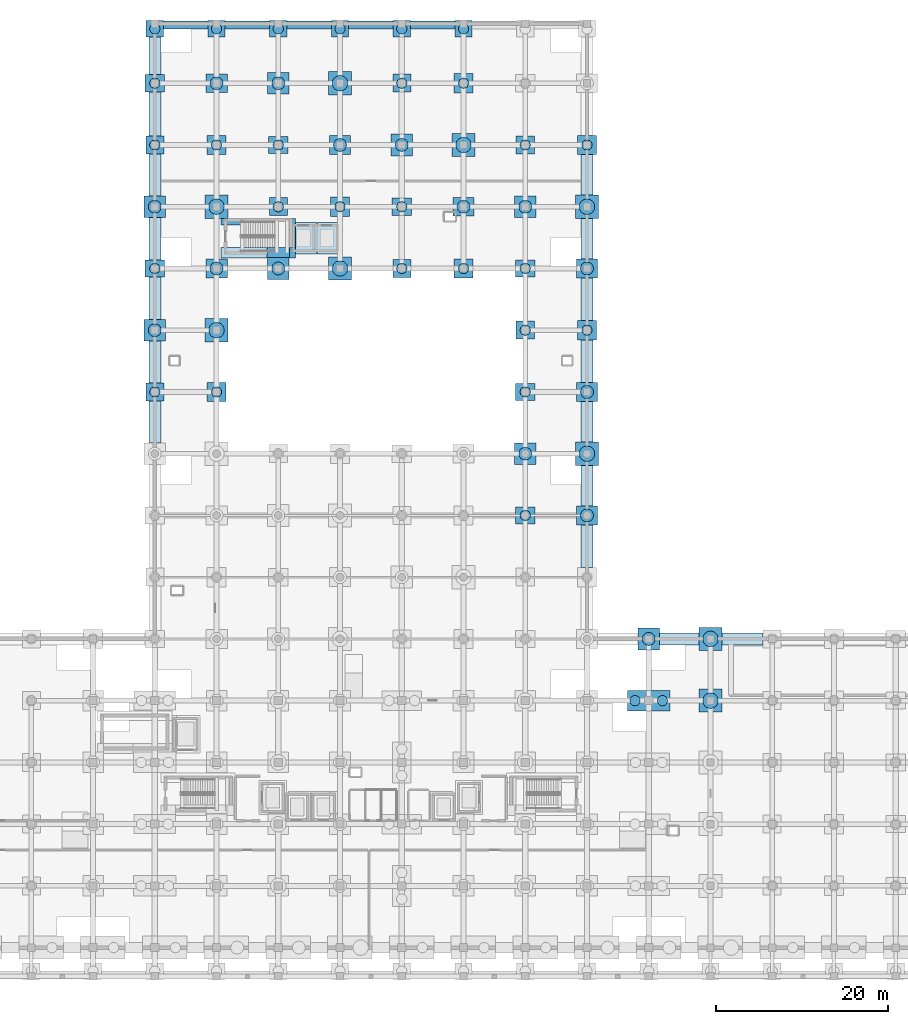
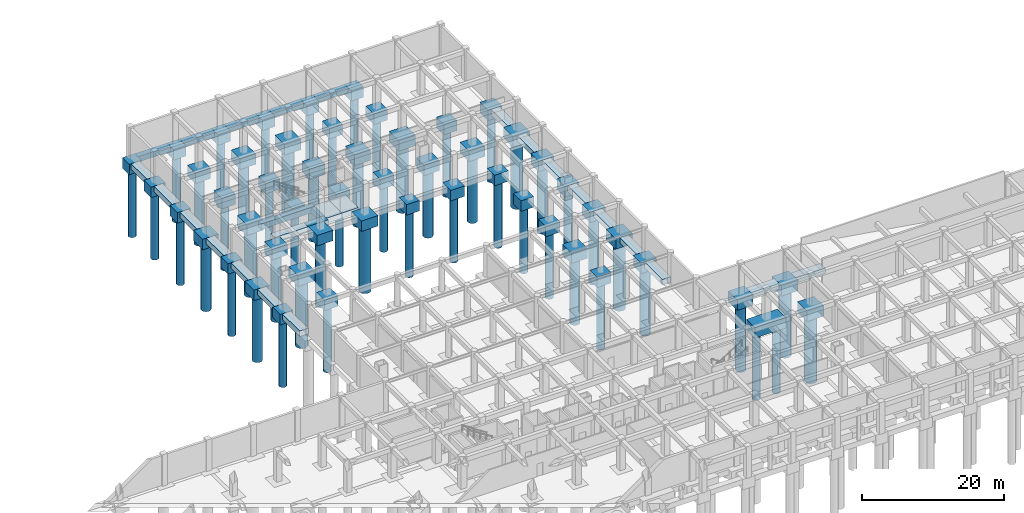
# One storey, part 4 of 26: 80 footings, 53 piles.
"""IFC4 building model written with IfcOpenShell, lengths in metres."""

from ifc_helpers import new_model, si_unit, direction, frame, origin, origin_2d, place, context, subcontext, project, spatial, polyline, rectangle, circle, outline, extrude, material, material_profile, profile_set, type_object, element, save


model = new_model("IFC4")

# Units and contexts
model_context = context("Model", 3, precision=1e-05, world=origin(), true_north=direction((0.0, 1.0)))
body_context = subcontext(model_context, "Body", "Model", "MODEL_VIEW")
ifc_project = project(units=[si_unit("LENGTHUNIT", "METRE"), si_unit("AREAUNIT", "SQUARE_METRE"), si_unit("VOLUMEUNIT", "CUBIC_METRE"), si_unit("PLANEANGLEUNIT", "RADIAN"), si_unit("MASSUNIT", "GRAM", prefix="KILO")], contexts=[model_context])

# Site, building, storey
site_placement = place(None, origin())
site = spatial("IfcSite", under=ifc_project, at=site_placement, CompositionType="ELEMENT")
building_placement = place(site_placement, origin())
building = spatial("IfcBuilding", under=site, at=building_placement, Name="Kazehaya Institute of Natural Sciences", CompositionType="ELEMENT")
storey_placement = place(building_placement, frame((0.0, 0.0, -5.39990234375)))
storey = spatial("IfcBuildingStorey", under=building, at=storey_placement, Name="B1", CompositionType="ELEMENT", Elevation=-5.39990234375)

# Footings
ifc_material = material(Name="Concrete Fc36", Category="concrete")
footing_type_1 = type_object("IfcFootingType", Name="FT-PAD01", PredefinedType="PAD_FOOTING", material=ifc_material)
footing_1_placement = place(storey_placement, frame((0.0, 0.0, -0.9501953125)))
element("IfcFooting", 1, at=footing_1_placement, inside=storey, type_object=footing_type_1, Name="Core ST-3 pad footing S seg 1", PredefinedType="PAD_FOOTING", context=body_context, shape_type="SweptSolid", body=[
    extrude(outline(polyline([(69.52001953125, 87.219970703125), (74.905029296875, 87.219970703125), (74.905029296875, 88.419921875), (69.52001953125, 88.419921875), (69.52001953125, 87.219970703125)])), origin(), (0.0, 0.0, 1.0), 0.9501953125),
])
footing_2_placement = place(storey_placement, frame((0.0, 0.0, -0.9501953125)))
element("IfcFooting", 2, at=footing_2_placement, inside=storey, type_object=footing_type_1, Name="Core ST-3 pad footing S seg 2", PredefinedType="PAD_FOOTING", context=body_context, shape_type="SweptSolid", body=[
    extrude(outline(polyline([(77.4951171875, 87.219970703125), (78.179931640625, 87.219970703125), (78.179931640625, 88.419921875), (77.4951171875, 88.419921875), (77.4951171875, 87.219970703125)])), origin(), (0.0, 0.0, 1.0), 0.9501953125),
])
footing_3_placement = place(storey_placement, frame((0.0, 0.0, -0.9501953125)))
element("IfcFooting", 3, at=footing_3_placement, inside=storey, type_object=footing_type_1, Name="Core ST-3 pad footing S seg 3", PredefinedType="PAD_FOOTING", context=body_context, shape_type="SweptSolid", body=[
    extrude(outline(polyline([(74.905029296875, 87.294921875), (77.4951171875, 87.294921875), (77.4951171875, 88.419921875), (74.905029296875, 88.419921875), (74.905029296875, 87.294921875)])), origin(), (0.0, 0.0, 1.0), 0.9501953125),
])
footing_4_placement = place(storey_placement, frame((0.0, 0.0, -0.9501953125)))
element("IfcFooting", 4, at=footing_4_placement, inside=storey, type_object=footing_type_1, Name="Core ST-3 pad footing N", PredefinedType="PAD_FOOTING", context=body_context, shape_type="SweptSolid", body=[
    extrude(outline(polyline([(69.52001953125, 91.06005859375), (78.179931640625, 91.06005859375), (78.179931640625, 91.830078125), (69.52001953125, 91.830078125), (69.52001953125, 91.06005859375)])), origin(), (0.0, 0.0, 1.0), 0.9501953125),
])
footing_5_placement = place(storey_placement, frame((0.0, 0.0, -0.900146484375)))
element("IfcFooting", 5, at=footing_5_placement, inside=storey, type_object=footing_type_1, Name="Lift EL04 pad footing seg 1", PredefinedType="PAD_FOOTING", context=body_context, shape_type="SweptSolid", body=[
    extrude(outline(polyline([(78.199951171875, 87.715087890625), (80.68505859375, 87.715087890625), (80.68505859375, 91.385009765625), (78.199951171875, 91.385009765625), (78.199951171875, 87.715087890625)])), origin(), (0.0, 0.0, 1.0), 0.900146484375),
])
footing_6_placement = place(storey_placement, frame((0.0, 0.0, -0.900146484375)))
element("IfcFooting", 6, at=footing_6_placement, inside=storey, type_object=footing_type_1, Name="Lift EL04 pad footing seg 2", PredefinedType="PAD_FOOTING", context=body_context, shape_type="SweptSolid", body=[
    extrude(outline(polyline([(77.614990234375, 88.43994140625), (78.199951171875, 88.43994140625), (78.199951171875, 91.0400390625), (77.614990234375, 91.0400390625), (77.614990234375, 88.43994140625)])), origin(), (0.0, 0.0, 1.0), 0.900146484375),
])
footing_7_placement = place(storey_placement, frame((0.0, 0.0, -0.900146484375)))
element("IfcFooting", 7, at=footing_7_placement, inside=storey, type_object=footing_type_1, Name="Lift EL05 pad footing", PredefinedType="PAD_FOOTING", context=body_context, shape_type="SweptSolid", body=[
    extrude(outline(polyline([(80.705078125, 87.715087890625), (83.385009765625, 87.715087890625), (83.385009765625, 91.385009765625), (80.705078125, 91.385009765625), (80.705078125, 87.715087890625)])), origin(), (0.0, 0.0, 1.0), 0.900146484375),
])
footing_type_2 = type_object("IfcFootingType", Name="FT-PC01", PredefinedType="PILE_CAP", material=ifc_material)
for number, where, z_axis, x_axis, name in (
    (8, (61.800048828125, 71.60009765625, -1.80029296875), (0.0, 0.0, 1.0), (1.0, 0.0, 0.0), "Pile cap CAP-193"),
    (9, (105.0, 78.800048828125, -1.80029296875), (0.0, 0.0, 1.0), (1.0, 0.0, 0.0), "Pile cap CAP-199"),
    (10, (90.60009765625, 86.0, -1.80029296875), (0.0, 0.0, 1.0), (1.0, 0.0, 0.0), "Pile cap CAP-205"),
    (11, (76.199951171875, 93.199951171875, -1.80029296875), (0.0, 0.0, 1.0), (1.0, 0.0, 0.0), "Pile cap CAP-211"),
    (12, (61.800048828125, 100.39990234375, -1.80029296875), (0.0, 0.0, 1.0), (1.0, 0.0, 0.0), "Pile cap CAP-217"),
    (13, (105.0, 100.39990234375, -1.80029296875), (0.0, 0.0, 1.0), (1.0, 0.0, 0.0), "Pile cap CAP-223"),
    (14, (90.60009765625, 107.60009765625, -1.80029296875), (0.0, 0.0, 1.0), (1.0, 0.0, 0.0), "Pile cap CAP-229"),
):
    element("IfcFooting", number, at=place(storey_placement, frame(where, z_axis=z_axis, x_axis=x_axis)), inside=storey, type_object=footing_type_2, Name=name, PredefinedType="PILE_CAP", context=body_context, shape_type="SweptSolid", body=[
        extrude(rectangle(XDim=2.10009765625, YDim=2.10009765625, at=origin_2d()), origin(), (0.0, 0.0, 1.0), 1.800048828125),
    ])
footing_type_3 = type_object("IfcFootingType", Name="FT-PC05", PredefinedType="PILE_CAP", material=ifc_material)
for number, where, z_axis, x_axis, name in (
    (15, (61.800048828125, 113.949951171875, -1.80029296875), (0.0, 0.0, 1.0), (1.0, 0.0, 0.0), "Pile cap CAP-233"),
    (16, (69.0, 113.949951171875, -1.80029296875), (0.0, 0.0, 1.0), (1.0, 0.0, 0.0), "Pile cap CAP-234"),
    (17, (76.199951171875, 113.949951171875, -1.80029296875), (0.0, 0.0, 1.0), (1.0, 0.0, 0.0), "Pile cap CAP-235"),
    (18, (83.39990234375, 113.949951171875, -1.80029296875), (0.0, 0.0, 1.0), (1.0, 0.0, 0.0), "Pile cap CAP-236"),
    (19, (90.60009765625, 113.949951171875, -1.80029296875), (0.0, 0.0, 1.0), (1.0, 0.0, 0.0), "Pile cap CAP-237"),
    (20, (97.800048828125, 113.949951171875, -1.80029296875), (0.0, 0.0, 1.0), (1.0, 0.0, 0.0), "Pile cap CAP-238"),
):
    element("IfcFooting", number, at=place(storey_placement, frame(where, z_axis=z_axis, x_axis=x_axis)), inside=storey, type_object=footing_type_3, Name=name, PredefinedType="PILE_CAP", context=body_context, shape_type="SweptSolid", body=[
        extrude(rectangle(XDim=2.0, YDim=1.89990234375, at=origin_2d()), origin(), (0.0, 0.0, 1.0), 1.800048828125),
    ])
footing_type_4 = type_object("IfcFootingType", Name="FT-PC06", PredefinedType="PILE_CAP", material=ifc_material)
for number, where, z_axis, x_axis, name in (
    (21, (69.0, 71.60009765625, -1.80029296875), (0.0, 0.0, 1.0), (1.0, 0.0, 0.0), "Pile cap CAP-194"),
    (22, (112.199951171875, 78.800048828125, -1.80029296875), (0.0, 0.0, 1.0), (1.0, 0.0, 0.0), "Pile cap CAP-200"),
    (23, (97.800048828125, 86.0, -1.80029296875), (0.0, 0.0, 1.0), (1.0, 0.0, 0.0), "Pile cap CAP-206"),
    (24, (83.39990234375, 93.199951171875, -1.80029296875), (0.0, 0.0, 1.0), (1.0, 0.0, 0.0), "Pile cap CAP-212"),
    (25, (69.0, 100.39990234375, -1.80029296875), (0.0, 0.0, 1.0), (1.0, 0.0, 0.0), "Pile cap CAP-218"),
    (26, (112.199951171875, 100.39990234375, -1.80029296875), (0.0, 0.0, 1.0), (1.0, 0.0, 0.0), "Pile cap CAP-224"),
    (27, (97.800048828125, 107.60009765625, -1.80029296875), (0.0, 0.0, 1.0), (1.0, 0.0, 0.0), "Pile cap CAP-230"),
):
    element("IfcFooting", number, at=place(storey_placement, frame(where, z_axis=z_axis, x_axis=x_axis)), inside=storey, type_object=footing_type_4, Name=name, PredefinedType="PILE_CAP", context=body_context, shape_type="SweptSolid", body=[
        extrude(rectangle(XDim=2.25, YDim=2.25, at=origin_2d()), origin(), (0.0, 0.0, 1.0), 1.800048828125),
    ])
footing_type_5 = type_object("IfcFootingType", Name="FT-PC07", PredefinedType="PILE_CAP", material=ifc_material)
for number, where, z_axis, x_axis, name in (
    (28, (119.39990234375, 42.800048828125, -1.80029296875), (0.0, 0.0, 1.0), (1.0, 0.0, 0.0), "Pile cap CAP-161"),
    (29, (105.0, 64.39990234375, -1.80029296875), (0.0, 0.0, 1.0), (1.0, 0.0, 0.0), "Pile cap CAP-191"),
    (30, (61.800048828125, 78.800048828125, -1.80029296875), (0.0, 0.0, 1.0), (1.0, 0.0, 0.0), "Pile cap CAP-197"),
    (31, (76.199951171875, 86.0, -1.80029296875), (0.0, 0.0, 1.0), (1.0, 0.0, 0.0), "Pile cap CAP-203"),
    (32, (61.800048828125, 93.199951171875, -1.80029296875), (0.0, 0.0, 1.0), (1.0, 0.0, 0.0), "Pile cap CAP-209"),
    (33, (105.0, 93.199951171875, -1.80029296875), (0.0, 0.0, 1.0), (1.0, 0.0, 0.0), "Pile cap CAP-215"),
    (34, (90.60009765625, 100.39990234375, -1.80029296875), (0.0, 0.0, 1.0), (1.0, 0.0, 0.0), "Pile cap CAP-221"),
    (35, (76.199951171875, 107.60009765625, -1.80029296875), (0.0, 0.0, 1.0), (1.0, 0.0, 0.0), "Pile cap CAP-227"),
):
    element("IfcFooting", number, at=place(storey_placement, frame(where, z_axis=z_axis, x_axis=x_axis)), inside=storey, type_object=footing_type_5, Name=name, PredefinedType="PILE_CAP", context=body_context, shape_type="SweptSolid", body=[
        extrude(rectangle(XDim=2.550048828125, YDim=2.550048828125, at=origin_2d()), origin(), (0.0, 0.0, 1.0), 1.800048828125),
    ])
footing_type_6 = type_object("IfcFootingType", Name="FT-PC08", PredefinedType="PILE_CAP", material=ifc_material)
for number, where, z_axis, x_axis, name in (
    (36, (126.60009765625, 35.60009765625, -1.80029296875), (0.0, 0.0, 1.0), (1.0, 0.0, 0.0), "Pile cap CAP-138"),
    (37, (126.60009765625, 42.800048828125, -1.80029296875), (0.0, 0.0, 1.0), (1.0, 0.0, 0.0), "Pile cap CAP-162"),
    (38, (112.199951171875, 64.39990234375, -1.80029296875), (0.0, 0.0, 1.0), (1.0, 0.0, 0.0), "Pile cap CAP-192"),
    (39, (69.0, 78.800048828125, -1.80029296875), (0.0, 0.0, 1.0), (1.0, 0.0, 0.0), "Pile cap CAP-198"),
    (40, (83.39990234375, 86.0, -1.80029296875), (0.0, 0.0, 1.0), (1.0, 0.0, 0.0), "Pile cap CAP-204"),
    (41, (69.0, 93.199951171875, -1.80029296875), (0.0, 0.0, 1.0), (1.0, 0.0, 0.0), "Pile cap CAP-210"),
    (42, (112.199951171875, 93.199951171875, -1.80029296875), (0.0, 0.0, 1.0), (1.0, 0.0, 0.0), "Pile cap CAP-216"),
    (43, (97.800048828125, 100.39990234375, -1.80029296875), (0.0, 0.0, 1.0), (1.0, 0.0, 0.0), "Pile cap CAP-222"),
    (44, (83.39990234375, 107.60009765625, -1.80029296875), (0.0, 0.0, 1.0), (1.0, 0.0, 0.0), "Pile cap CAP-228"),
):
    element("IfcFooting", number, at=place(storey_placement, frame(where, z_axis=z_axis, x_axis=x_axis)), inside=storey, type_object=footing_type_6, Name=name, PredefinedType="PILE_CAP", context=body_context, shape_type="SweptSolid", body=[
        extrude(rectangle(XDim=2.699951171875, YDim=2.699951171875, at=origin_2d()), origin(), (0.0, 0.0, 1.0), 1.800048828125),
    ])
footing_type_7 = type_object("IfcFootingType", Name="FT-PC10", PredefinedType="PILE_CAP", material=ifc_material)
footing_8_placement = place(storey_placement, frame((119.39990234375, 35.60009765625, -1.80029296875), z_axis=(0.0, 0.0, 1.0), x_axis=(1.0, 0.0, 0.0)))
element("IfcFooting", 45, at=footing_8_placement, inside=storey, type_object=footing_type_7, Name="Pile cap CAP-137", PredefinedType="PILE_CAP", context=body_context, shape_type="SweptSolid", body=[
    extrude(rectangle(XDim=5.0, YDim=2.39990234375, at=origin_2d()), origin(), (0.0, 0.0, 1.0), 1.800048828125),
])
footing_type_8 = type_object("IfcFootingType", Name="FT-PC11", PredefinedType="PILE_CAP", material=ifc_material)
for number, where, z_axis, x_axis, name in (
    (46, (105.0, 57.199951171875, -1.80029296875), (0.0, 0.0, 1.0), (1.0, 0.0, 0.0), "Pile cap CAP-183"),
    (47, (105.0, 71.60009765625, -1.80029296875), (0.0, 0.0, 1.0), (1.0, 0.0, 0.0), "Pile cap CAP-195"),
    (48, (61.800048828125, 86.0, -1.80029296875), (0.0, 0.0, 1.0), (1.0, 0.0, 0.0), "Pile cap CAP-201"),
    (49, (105.0, 86.0, -1.80029296875), (0.0, 0.0, 1.0), (1.0, 0.0, 0.0), "Pile cap CAP-207"),
    (50, (90.60009765625, 93.199951171875, -1.80029296875), (0.0, 0.0, 1.0), (1.0, 0.0, 0.0), "Pile cap CAP-213"),
    (51, (76.199951171875, 100.39990234375, -1.80029296875), (0.0, 0.0, 1.0), (1.0, 0.0, 0.0), "Pile cap CAP-219"),
    (52, (61.800048828125, 107.60009765625, -1.80029296875), (0.0, 0.0, 1.0), (1.0, 0.0, 0.0), "Pile cap CAP-225"),
):
    element("IfcFooting", number, at=place(storey_placement, frame(where, z_axis=z_axis, x_axis=x_axis)), inside=storey, type_object=footing_type_8, Name=name, PredefinedType="PILE_CAP", context=body_context, shape_type="SweptSolid", body=[
        extrude(rectangle(XDim=2.300048828125, YDim=2.0, at=origin_2d()), origin(), (0.0, 0.0, 1.0), 1.800048828125),
    ])
footing_type_9 = type_object("IfcFootingType", Name="FT-PC12", PredefinedType="PILE_CAP", material=ifc_material)
for number, where, z_axis, x_axis, name in (
    (53, (112.199951171875, 57.199951171875, -1.80029296875), (0.0, 0.0, 1.0), (1.0, 0.0, 0.0), "Pile cap CAP-184"),
    (54, (112.199951171875, 71.60009765625, -1.80029296875), (0.0, 0.0, 1.0), (1.0, 0.0, 0.0), "Pile cap CAP-196"),
    (55, (69.0, 86.0, -1.80029296875), (0.0, 0.0, 1.0), (1.0, 0.0, 0.0), "Pile cap CAP-202"),
    (56, (112.199951171875, 86.0, -1.80029296875), (0.0, 0.0, 1.0), (1.0, 0.0, 0.0), "Pile cap CAP-208"),
    (57, (97.800048828125, 93.199951171875, -1.80029296875), (0.0, 0.0, 1.0), (1.0, 0.0, 0.0), "Pile cap CAP-214"),
    (58, (83.39990234375, 100.39990234375, -1.80029296875), (0.0, 0.0, 1.0), (1.0, 0.0, 0.0), "Pile cap CAP-220"),
    (59, (69.0, 107.60009765625, -1.80029296875), (0.0, 0.0, 1.0), (1.0, 0.0, 0.0), "Pile cap CAP-226"),
):
    element("IfcFooting", number, at=place(storey_placement, frame(where, z_axis=z_axis, x_axis=x_axis)), inside=storey, type_object=footing_type_9, Name=name, PredefinedType="PILE_CAP", context=body_context, shape_type="SweptSolid", body=[
        extrude(rectangle(XDim=2.5, YDim=2.199951171875, at=origin_2d()), origin(), (0.0, 0.0, 1.0), 1.800048828125),
    ])
footing_type_10 = type_object("IfcFootingType", Name="FT-SF01", PredefinedType="STRIP_FOOTING", material=ifc_material)
footing_9_placement = place(storey_placement, frame((0.0, 0.0, -0.900146484375)))
element("IfcFooting", 60, at=footing_9_placement, inside=storey, type_object=footing_type_10, Name="Perimeter strip footing SF-070", PredefinedType="STRIP_FOOTING", context=body_context, shape_type="SweptSolid", body=[
    extrude(outline(polyline([(62.800048828125, 113.949951171875), (68.0, 113.949951171875), (68.0, 114.8798828125), (62.800048828125, 114.8798828125), (62.800048828125, 113.949951171875)])), origin(), (0.0, 0.0, 1.0), 0.900146484375),
])
footing_10_placement = place(storey_placement, frame((0.0, 0.0, -0.900146484375)))
element("IfcFooting", 61, at=footing_10_placement, inside=storey, type_object=footing_type_10, Name="Perimeter strip footing SF-071", PredefinedType="STRIP_FOOTING", context=body_context, shape_type="SweptSolid", body=[
    extrude(outline(polyline([(70.0, 113.949951171875), (75.199951171875, 113.949951171875), (75.199951171875, 114.8798828125), (70.0, 114.8798828125), (70.0, 113.949951171875)])), origin(), (0.0, 0.0, 1.0), 0.900146484375),
])
footing_11_placement = place(storey_placement, frame((0.0, 0.0, -0.900146484375)))
element("IfcFooting", 62, at=footing_11_placement, inside=storey, type_object=footing_type_10, Name="Perimeter strip footing SF-072", PredefinedType="STRIP_FOOTING", context=body_context, shape_type="SweptSolid", body=[
    extrude(outline(polyline([(77.199951171875, 113.949951171875), (82.39990234375, 113.949951171875), (82.39990234375, 114.8798828125), (77.199951171875, 114.8798828125), (77.199951171875, 113.949951171875)])), origin(), (0.0, 0.0, 1.0), 0.900146484375),
])
footing_12_placement = place(storey_placement, frame((0.0, 0.0, -0.900146484375)))
element("IfcFooting", 63, at=footing_12_placement, inside=storey, type_object=footing_type_10, Name="Perimeter strip footing SF-073", PredefinedType="STRIP_FOOTING", context=body_context, shape_type="SweptSolid", body=[
    extrude(outline(polyline([(84.39990234375, 113.949951171875), (89.60009765625, 113.949951171875), (89.60009765625, 114.8798828125), (84.39990234375, 114.8798828125), (84.39990234375, 113.949951171875)])), origin(), (0.0, 0.0, 1.0), 0.900146484375),
])
footing_13_placement = place(storey_placement, frame((0.0, 0.0, -0.900146484375)))
element("IfcFooting", 64, at=footing_13_placement, inside=storey, type_object=footing_type_10, Name="Perimeter strip footing SF-074", PredefinedType="STRIP_FOOTING", context=body_context, shape_type="SweptSolid", body=[
    extrude(outline(polyline([(91.60009765625, 113.949951171875), (96.800048828125, 113.949951171875), (96.800048828125, 114.8798828125), (91.60009765625, 114.8798828125), (91.60009765625, 113.949951171875)])), origin(), (0.0, 0.0, 1.0), 0.900146484375),
])
footing_type_11 = type_object("IfcFootingType", Name="FT-SF02", PredefinedType="STRIP_FOOTING", material=ifc_material)
footing_14_placement = place(storey_placement, frame((0.0, 0.0, -0.9501953125)))
element("IfcFooting", 65, at=footing_14_placement, inside=storey, type_object=footing_type_11, Name="Perimeter strip footing SF-063", PredefinedType="STRIP_FOOTING", context=body_context, shape_type="SweptSolid", body=[
    extrude(outline(polyline([(61.10009765625, 65.675048828125), (62.5, 65.675048828125), (62.5, 70.550048828125), (61.10009765625, 70.550048828125), (61.10009765625, 65.675048828125)])), origin(), (0.0, 0.0, 1.0), 0.9501953125),
])
footing_15_placement = place(storey_placement, frame((0.0, 0.0, -0.9501953125)))
element("IfcFooting", 66, at=footing_15_placement, inside=storey, type_object=footing_type_11, Name="Perimeter strip footing SF-064", PredefinedType="STRIP_FOOTING", context=body_context, shape_type="SweptSolid", body=[
    extrude(outline(polyline([(61.10009765625, 72.64990234375), (62.5, 72.64990234375), (62.5, 77.52490234375), (61.10009765625, 77.52490234375), (61.10009765625, 72.64990234375)])), origin(), (0.0, 0.0, 1.0), 0.9501953125),
])
footing_16_placement = place(storey_placement, frame((0.0, 0.0, -0.9501953125)))
element("IfcFooting", 67, at=footing_16_placement, inside=storey, type_object=footing_type_11, Name="Perimeter strip footing SF-065", PredefinedType="STRIP_FOOTING", context=body_context, shape_type="SweptSolid", body=[
    extrude(outline(polyline([(61.10009765625, 80.074951171875), (62.5, 80.074951171875), (62.5, 85.0), (61.10009765625, 85.0), (61.10009765625, 80.074951171875)])), origin(), (0.0, 0.0, 1.0), 0.9501953125),
])
footing_17_placement = place(storey_placement, frame((0.0, 0.0, -0.9501953125)))
element("IfcFooting", 68, at=footing_17_placement, inside=storey, type_object=footing_type_11, Name="Perimeter strip footing SF-066", PredefinedType="STRIP_FOOTING", context=body_context, shape_type="SweptSolid", body=[
    extrude(outline(polyline([(61.10009765625, 87.0), (62.5, 87.0), (62.5, 91.925048828125), (61.10009765625, 91.925048828125), (61.10009765625, 87.0)])), origin(), (0.0, 0.0, 1.0), 0.9501953125),
])
footing_18_placement = place(storey_placement, frame((0.0, 0.0, -0.9501953125)))
element("IfcFooting", 69, at=footing_18_placement, inside=storey, type_object=footing_type_11, Name="Perimeter strip footing SF-067", PredefinedType="STRIP_FOOTING", context=body_context, shape_type="SweptSolid", body=[
    extrude(outline(polyline([(61.10009765625, 94.47509765625), (62.5, 94.47509765625), (62.5, 99.35009765625), (61.10009765625, 99.35009765625), (61.10009765625, 94.47509765625)])), origin(), (0.0, 0.0, 1.0), 0.9501953125),
])
footing_19_placement = place(storey_placement, frame((0.0, 0.0, -0.9501953125)))
element("IfcFooting", 70, at=footing_19_placement, inside=storey, type_object=footing_type_11, Name="Perimeter strip footing SF-068", PredefinedType="STRIP_FOOTING", context=body_context, shape_type="SweptSolid", body=[
    extrude(outline(polyline([(61.10009765625, 101.449951171875), (62.5, 101.449951171875), (62.5, 106.60009765625), (61.10009765625, 106.60009765625), (61.10009765625, 101.449951171875)])), origin(), (0.0, 0.0, 1.0), 0.9501953125),
])
footing_20_placement = place(storey_placement, frame((0.0, 0.0, -0.9501953125)))
element("IfcFooting", 71, at=footing_20_placement, inside=storey, type_object=footing_type_11, Name="Perimeter strip footing SF-069", PredefinedType="STRIP_FOOTING", context=body_context, shape_type="SweptSolid", body=[
    extrude(outline(polyline([(61.10009765625, 108.60009765625), (62.5, 108.60009765625), (62.5, 113.0), (61.10009765625, 113.0), (61.10009765625, 108.60009765625)])), origin(), (0.0, 0.0, 1.0), 0.9501953125),
])
footing_21_placement = place(storey_placement, frame((0.0, 0.0, -0.9501953125)))
element("IfcFooting", 72, at=footing_21_placement, inside=storey, type_object=footing_type_11, Name="Perimeter strip footing SF-078", PredefinedType="STRIP_FOOTING", context=body_context, shape_type="SweptSolid", body=[
    extrude(outline(polyline([(111.5, 51.125), (112.89990234375, 51.125), (112.89990234375, 56.10009765625), (111.5, 56.10009765625), (111.5, 51.125)])), origin(), (0.0, 0.0, 1.0), 0.9501953125),
])
footing_22_placement = place(storey_placement, frame((0.0, 0.0, -0.9501953125)))
element("IfcFooting", 73, at=footing_22_placement, inside=storey, type_object=footing_type_11, Name="Perimeter strip footing SF-079", PredefinedType="STRIP_FOOTING", context=body_context, shape_type="SweptSolid", body=[
    extrude(outline(polyline([(111.5, 58.300048828125), (112.89990234375, 58.300048828125), (112.89990234375, 63.050048828125), (111.5, 63.050048828125), (111.5, 58.300048828125)])), origin(), (0.0, 0.0, 1.0), 0.9501953125),
])
footing_23_placement = place(storey_placement, frame((0.0, 0.0, -0.9501953125)))
element("IfcFooting", 74, at=footing_23_placement, inside=storey, type_object=footing_type_11, Name="Perimeter strip footing SF-080", PredefinedType="STRIP_FOOTING", context=body_context, shape_type="SweptSolid", body=[
    extrude(outline(polyline([(111.5, 65.75), (112.89990234375, 65.75), (112.89990234375, 70.5), (111.5, 70.5), (111.5, 65.75)])), origin(), (0.0, 0.0, 1.0), 0.9501953125),
])
footing_24_placement = place(storey_placement, frame((0.0, 0.0, -0.9501953125)))
element("IfcFooting", 75, at=footing_24_placement, inside=storey, type_object=footing_type_11, Name="Perimeter strip footing SF-081", PredefinedType="STRIP_FOOTING", context=body_context, shape_type="SweptSolid", body=[
    extrude(outline(polyline([(111.5, 72.699951171875), (112.89990234375, 72.699951171875), (112.89990234375, 77.675048828125), (111.5, 77.675048828125), (111.5, 72.699951171875)])), origin(), (0.0, 0.0, 1.0), 0.9501953125),
])
footing_25_placement = place(storey_placement, frame((0.0, 0.0, -0.9501953125)))
element("IfcFooting", 76, at=footing_25_placement, inside=storey, type_object=footing_type_11, Name="Perimeter strip footing SF-082", PredefinedType="STRIP_FOOTING", context=body_context, shape_type="SweptSolid", body=[
    extrude(outline(polyline([(111.5, 79.925048828125), (112.89990234375, 79.925048828125), (112.89990234375, 84.89990234375), (111.5, 84.89990234375), (111.5, 79.925048828125)])), origin(), (0.0, 0.0, 1.0), 0.9501953125),
])
footing_26_placement = place(storey_placement, frame((0.0, 0.0, -0.9501953125)))
element("IfcFooting", 77, at=footing_26_placement, inside=storey, type_object=footing_type_11, Name="Perimeter strip footing SF-083", PredefinedType="STRIP_FOOTING", context=body_context, shape_type="SweptSolid", body=[
    extrude(outline(polyline([(111.5, 87.10009765625), (112.89990234375, 87.10009765625), (112.89990234375, 91.85009765625), (111.5, 91.85009765625), (111.5, 87.10009765625)])), origin(), (0.0, 0.0, 1.0), 0.9501953125),
])
footing_27_placement = place(storey_placement, frame((0.0, 0.0, -0.9501953125)))
element("IfcFooting", 78, at=footing_27_placement, inside=storey, type_object=footing_type_11, Name="Perimeter strip footing SF-084", PredefinedType="STRIP_FOOTING", context=body_context, shape_type="SweptSolid", body=[
    extrude(outline(polyline([(111.5, 94.550048828125), (112.89990234375, 94.550048828125), (112.89990234375, 99.27490234375), (111.5, 99.27490234375), (111.5, 94.550048828125)])), origin(), (0.0, 0.0, 1.0), 0.9501953125),
])
footing_28_placement = place(storey_placement, frame((0.0, 0.0, -0.9501953125)))
element("IfcFooting", 79, at=footing_28_placement, inside=storey, type_object=footing_type_11, Name="Perimeter strip footing SF-088", PredefinedType="STRIP_FOOTING", context=body_context, shape_type="SweptSolid", body=[
    extrude(outline(polyline([(120.675048828125, 42.10009765625), (125.25, 42.10009765625), (125.25, 43.5), (120.675048828125, 43.5), (120.675048828125, 42.10009765625)])), origin(), (0.0, 0.0, 1.0), 0.9501953125),
])
footing_29_placement = place(storey_placement, frame((0.0, 0.0, -0.9501953125)))
element("IfcFooting", 80, at=footing_29_placement, inside=storey, type_object=footing_type_11, Name="Perimeter strip footing SF-089", PredefinedType="STRIP_FOOTING", context=body_context, shape_type="SweptSolid", body=[
    extrude(outline(polyline([(127.949951171875, 42.10009765625), (132.75, 42.10009765625), (132.75, 43.5), (127.949951171875, 43.5), (127.949951171875, 42.10009765625)])), origin(), (0.0, 0.0, 1.0), 0.9501953125),
])

# Piles
ifc_material_profile_1 = material_profile(ifc_material, circle(Radius=0.60009765625, at=origin_2d()), Name="PILE-1200")
ifc_profile_set_1 = profile_set([ifc_material_profile_1], Name="Concrete Fc36")
pile_type_1 = type_object("IfcPileType", Name="PILE-1200", PredefinedType="BORED", material=ifc_profile_set_1)
for number, where, z_axis, x_axis, name in (
    (81, (117.800048828125, 35.60009765625, -1.7001953125), (0.0, 0.0, -1.0), (1.0, 0.0, 0.0), "Bored pile CAP-137-P1"),
    (82, (121.0, 35.60009765625, -1.7001953125), (0.0, 0.0, -1.0), (1.0, 0.0, 0.0), "Bored pile CAP-137-P2"),
    (83, (105.0, 57.199951171875, -1.7001953125), (0.0, 0.0, -1.0), (1.0, 0.0, 0.0), "Bored pile CAP-183-P1"),
    (84, (61.800048828125, 71.60009765625, -1.7001953125), (0.0, 0.0, -1.0), (1.0, 0.0, 0.0), "Bored pile CAP-193-P1"),
    (85, (69.0, 71.60009765625, -1.7001953125), (0.0, 0.0, -1.0), (1.0, 0.0, 0.0), "Bored pile CAP-194-P1"),
    (86, (105.0, 71.60009765625, -1.7001953125), (0.0, 0.0, -1.0), (1.0, 0.0, 0.0), "Bored pile CAP-195-P1"),
    (87, (105.0, 78.800048828125, -1.7001953125), (0.0, 0.0, -1.0), (1.0, 0.0, 0.0), "Bored pile CAP-199-P1"),
    (88, (112.199951171875, 78.800048828125, -1.7001953125), (0.0, 0.0, -1.0), (1.0, 0.0, 0.0), "Bored pile CAP-200-P1"),
    (89, (61.800048828125, 86.0, -1.7001953125), (0.0, 0.0, -1.0), (1.0, 0.0, 0.0), "Bored pile CAP-201-P1"),
    (90, (90.60009765625, 86.0, -1.7001953125), (0.0, 0.0, -1.0), (1.0, 0.0, 0.0), "Bored pile CAP-205-P1"),
    (91, (97.800048828125, 86.0, -1.7001953125), (0.0, 0.0, -1.0), (1.0, 0.0, 0.0), "Bored pile CAP-206-P1"),
    (92, (105.0, 86.0, -1.7001953125), (0.0, 0.0, -1.0), (1.0, 0.0, 0.0), "Bored pile CAP-207-P1"),
    (93, (76.199951171875, 93.199951171875, -1.7001953125), (0.0, 0.0, -1.0), (1.0, 0.0, 0.0), "Bored pile CAP-211-P1"),
    (94, (83.39990234375, 93.199951171875, -1.7001953125), (0.0, 0.0, -1.0), (1.0, 0.0, 0.0), "Bored pile CAP-212-P1"),
    (95, (90.60009765625, 93.199951171875, -1.7001953125), (0.0, 0.0, -1.0), (1.0, 0.0, 0.0), "Bored pile CAP-213-P1"),
    (96, (61.800048828125, 100.39990234375, -1.7001953125), (0.0, 0.0, -1.0), (1.0, 0.0, 0.0), "Bored pile CAP-217-P1"),
    (97, (69.0, 100.39990234375, -1.7001953125), (0.0, 0.0, -1.0), (1.0, 0.0, 0.0), "Bored pile CAP-218-P1"),
    (98, (76.199951171875, 100.39990234375, -1.7001953125), (0.0, 0.0, -1.0), (1.0, 0.0, 0.0), "Bored pile CAP-219-P1"),
    (99, (105.0, 100.39990234375, -1.7001953125), (0.0, 0.0, -1.0), (1.0, 0.0, 0.0), "Bored pile CAP-223-P1"),
    (100, (112.199951171875, 100.39990234375, -1.7001953125), (0.0, 0.0, -1.0), (1.0, 0.0, 0.0), "Bored pile CAP-224-P1"),
    (101, (61.800048828125, 107.60009765625, -1.7001953125), (0.0, 0.0, -1.0), (1.0, 0.0, 0.0), "Bored pile CAP-225-P1"),
    (102, (90.60009765625, 107.60009765625, -1.7001953125), (0.0, 0.0, -1.0), (1.0, 0.0, 0.0), "Bored pile CAP-229-P1"),
    (103, (97.800048828125, 107.60009765625, -1.7001953125), (0.0, 0.0, -1.0), (1.0, 0.0, 0.0), "Bored pile CAP-230-P1"),
    (104, (61.800048828125, 113.949951171875, -1.7001953125), (0.0, 0.0, -1.0), (1.0, 0.0, 0.0), "Bored pile CAP-233-P1"),
    (105, (69.0, 113.949951171875, -1.7001953125), (0.0, 0.0, -1.0), (1.0, 0.0, 0.0), "Bored pile CAP-234-P1"),
    (106, (76.199951171875, 113.949951171875, -1.7001953125), (0.0, 0.0, -1.0), (1.0, 0.0, 0.0), "Bored pile CAP-235-P1"),
    (107, (83.39990234375, 113.949951171875, -1.7001953125), (0.0, 0.0, -1.0), (1.0, 0.0, 0.0), "Bored pile CAP-236-P1"),
    (108, (90.60009765625, 113.949951171875, -1.7001953125), (0.0, 0.0, -1.0), (1.0, 0.0, 0.0), "Bored pile CAP-237-P1"),
    (109, (97.800048828125, 113.949951171875, -1.7001953125), (0.0, 0.0, -1.0), (1.0, 0.0, 0.0), "Bored pile CAP-238-P1"),
):
    element("IfcPile", number, at=place(storey_placement, frame(where, z_axis=z_axis, x_axis=x_axis)), inside=storey, type_object=pile_type_1, Name=name, PredefinedType="BORED", context=body_context, shape_type="SweptSolid", body=[
        extrude(circle(Radius=0.60009765625, at=origin_2d()), origin(), (0.0, 0.0, 1.0), 11.39990234375),
    ])
ifc_material_profile_2 = material_profile(ifc_material, circle(Radius=0.75, at=origin_2d()), Name="PILE-1500")
ifc_profile_set_2 = profile_set([ifc_material_profile_2], Name="Concrete Fc36")
pile_type_2 = type_object("IfcPileType", Name="PILE-1500", PredefinedType="BORED", material=ifc_profile_set_2)
for number, where, z_axis, x_axis, name in (
    (110, (119.39990234375, 42.800048828125, -1.7001953125), (0.0, 0.0, -1.0), (1.0, 0.0, 0.0), "Bored pile CAP-161-P1"),
    (111, (112.199951171875, 57.199951171875, -1.7001953125), (0.0, 0.0, -1.0), (1.0, 0.0, 0.0), "Bored pile CAP-184-P1"),
    (112, (105.0, 64.39990234375, -1.7001953125), (0.0, 0.0, -1.0), (1.0, 0.0, 0.0), "Bored pile CAP-191-P1"),
    (113, (112.199951171875, 71.60009765625, -1.7001953125), (0.0, 0.0, -1.0), (1.0, 0.0, 0.0), "Bored pile CAP-196-P1"),
    (114, (61.800048828125, 78.800048828125, -1.7001953125), (0.0, 0.0, -1.0), (1.0, 0.0, 0.0), "Bored pile CAP-197-P1"),
    (115, (69.0, 86.0, -1.7001953125), (0.0, 0.0, -1.0), (1.0, 0.0, 0.0), "Bored pile CAP-202-P1"),
    (116, (76.199951171875, 86.0, -1.7001953125), (0.0, 0.0, -1.0), (1.0, 0.0, 0.0), "Bored pile CAP-203-P1"),
    (117, (112.199951171875, 86.0, -1.7001953125), (0.0, 0.0, -1.0), (1.0, 0.0, 0.0), "Bored pile CAP-208-P1"),
    (118, (61.800048828125, 93.199951171875, -1.7001953125), (0.0, 0.0, -1.0), (1.0, 0.0, 0.0), "Bored pile CAP-209-P1"),
    (119, (97.800048828125, 93.199951171875, -1.7001953125), (0.0, 0.0, -1.0), (1.0, 0.0, 0.0), "Bored pile CAP-214-P1"),
    (120, (105.0, 93.199951171875, -1.7001953125), (0.0, 0.0, -1.0), (1.0, 0.0, 0.0), "Bored pile CAP-215-P1"),
    (121, (83.39990234375, 100.39990234375, -1.7001953125), (0.0, 0.0, -1.0), (1.0, 0.0, 0.0), "Bored pile CAP-220-P1"),
    (122, (90.60009765625, 100.39990234375, -1.7001953125), (0.0, 0.0, -1.0), (1.0, 0.0, 0.0), "Bored pile CAP-221-P1"),
    (123, (69.0, 107.60009765625, -1.7001953125), (0.0, 0.0, -1.0), (1.0, 0.0, 0.0), "Bored pile CAP-226-P1"),
    (124, (76.199951171875, 107.60009765625, -1.7001953125), (0.0, 0.0, -1.0), (1.0, 0.0, 0.0), "Bored pile CAP-227-P1"),
):
    element("IfcPile", number, at=place(storey_placement, frame(where, z_axis=z_axis, x_axis=x_axis)), inside=storey, type_object=pile_type_2, Name=name, PredefinedType="BORED", context=body_context, shape_type="SweptSolid", body=[
        extrude(circle(Radius=0.75, at=origin_2d()), origin(), (0.0, 0.0, 1.0), 11.39990234375),
    ])
ifc_material_profile_3 = material_profile(ifc_material, circle(Radius=0.89990234375, at=origin_2d()), Name="PILE-1800")
ifc_profile_set_3 = profile_set([ifc_material_profile_3], Name="Concrete Fc36")
pile_type_3 = type_object("IfcPileType", Name="PILE-1800", PredefinedType="BORED", material=ifc_profile_set_3)
for number, where, z_axis, x_axis, name in (
    (125, (126.60009765625, 35.60009765625, -1.7001953125), (0.0, 0.0, -1.0), (1.0, 0.0, 0.0), "Bored pile CAP-138-P1"),
    (126, (126.60009765625, 42.800048828125, -1.7001953125), (0.0, 0.0, -1.0), (1.0, 0.0, 0.0), "Bored pile CAP-162-P1"),
    (127, (112.199951171875, 64.39990234375, -1.7001953125), (0.0, 0.0, -1.0), (1.0, 0.0, 0.0), "Bored pile CAP-192-P1"),
    (128, (69.0, 78.800048828125, -1.7001953125), (0.0, 0.0, -1.0), (1.0, 0.0, 0.0), "Bored pile CAP-198-P1"),
    (129, (83.39990234375, 86.0, -1.7001953125), (0.0, 0.0, -1.0), (1.0, 0.0, 0.0), "Bored pile CAP-204-P1"),
    (130, (69.0, 93.199951171875, -1.7001953125), (0.0, 0.0, -1.0), (1.0, 0.0, 0.0), "Bored pile CAP-210-P1"),
    (131, (112.199951171875, 93.199951171875, -1.7001953125), (0.0, 0.0, -1.0), (1.0, 0.0, 0.0), "Bored pile CAP-216-P1"),
    (132, (97.800048828125, 100.39990234375, -1.7001953125), (0.0, 0.0, -1.0), (1.0, 0.0, 0.0), "Bored pile CAP-222-P1"),
    (133, (83.39990234375, 107.60009765625, -1.7001953125), (0.0, 0.0, -1.0), (1.0, 0.0, 0.0), "Bored pile CAP-228-P1"),
):
    element("IfcPile", number, at=place(storey_placement, frame(where, z_axis=z_axis, x_axis=x_axis)), inside=storey, type_object=pile_type_3, Name=name, PredefinedType="BORED", context=body_context, shape_type="SweptSolid", body=[
        extrude(circle(Radius=0.89990234375, at=origin_2d()), origin(), (0.0, 0.0, 1.0), 11.39990234375),
    ])

save(model, "model.ifc")
